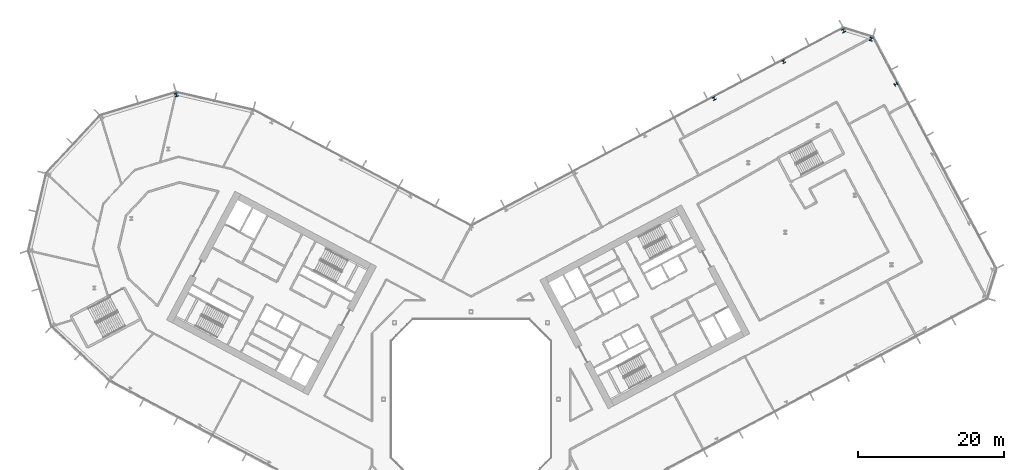
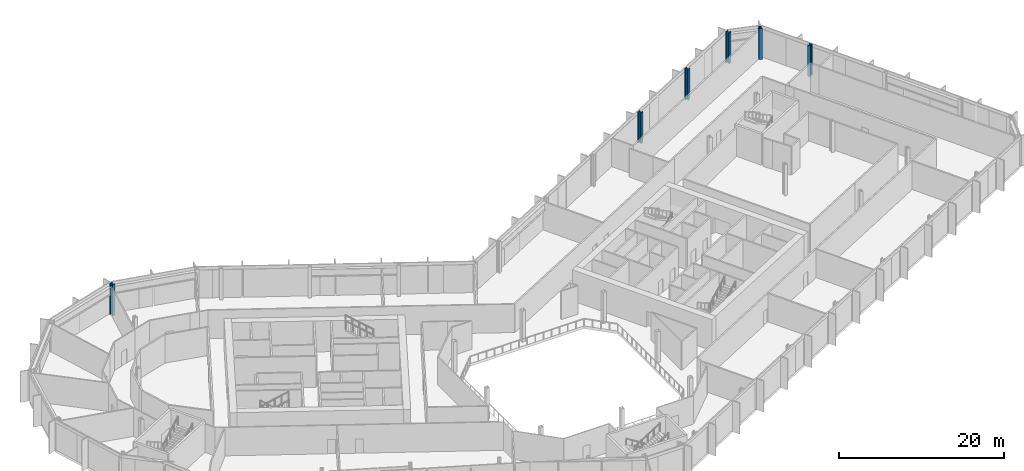
# One storey, part 5 of 30: 6 columns.
"""IFC4 building model written with IfcOpenShell, lengths in metres."""

from ifc_helpers import new_model, si_unit, direction, frame, origin, origin_2d, place, context, subcontext, project, spatial, i_section, extrude, material, material_profile, profile_set, type_object, element, save


model = new_model("IFC4")

# Units and contexts
model_context = context("Model", 3, precision=1e-05, world=origin(), true_north=direction((0.0, 1.0)))
body_context = subcontext(model_context, "Body", "Model", "MODEL_VIEW")
ifc_project = project(units=[si_unit("LENGTHUNIT", "METRE"), si_unit("AREAUNIT", "SQUARE_METRE"), si_unit("VOLUMEUNIT", "CUBIC_METRE"), si_unit("PLANEANGLEUNIT", "RADIAN"), si_unit("MASSUNIT", "GRAM", prefix="KILO")], contexts=[model_context])

# Site, building, storey
site_placement = place(None, origin())
site = spatial("IfcSite", under=ifc_project, at=site_placement, CompositionType="ELEMENT")
building_placement = place(site_placement, origin())
building = spatial("IfcBuilding", under=site, at=building_placement, Name="Cormorant Relay Tower", CompositionType="ELEMENT")
storey_placement = place(building_placement, frame((0.0, 0.0, 89.199951171875)))
storey = spatial("IfcBuildingStorey", under=building, at=storey_placement, Name="L17", CompositionType="ELEMENT", Elevation=89.199951171875)

# Columns
ifc_material_1 = material(Name="Steel ASTM A992 (Fy 345 MPa)", Category="steel")
ifc_material_profile_1 = material_profile(ifc_material_1, i_section(OverallWidth=0.42431640625, OverallDepth=0.47509765625, WebThickness=0.0478515625, FlangeThickness=0.0771484375, FilletRadius=0.014892578125, at=origin_2d()), Name="W360x634")
ifc_profile_set_1 = profile_set([ifc_material_profile_1], Name="Steel ASTM A992 (Fy 345 MPa)")
column_type_1 = type_object("IfcColumnType", Name="Column W360x634", PredefinedType="COLUMN", material=ifc_profile_set_1)
for number, where, z_axis, x_axis, name in (
    (1, (33.342041015625, 41.239990234375, 0.0), (0.0, 0.0, 1.0), (-0.882947592859, -0.469471562786, 0.0), "Column L17-049"),
    (2, (58.2900390625, 43.22509765625, 0.0), (0.0, 0.0, 1.0), (-0.469471562786, 0.882947592859, 0.0), "Column L17-051"),
    (3, (42.876953125, 46.31005859375, 0.0), (0.0, 0.0, 1.0), (-0.882947592859, -0.469471562786, 0.0), "Column L17-052"),
):
    element("IfcColumn", number, at=place(storey_placement, frame(where, z_axis=z_axis, x_axis=x_axis)), inside=storey, type_object=column_type_1, Name=name, PredefinedType="COLUMN", context=body_context, shape_type="SweptSolid", body=[
        extrude(i_section(OverallWidth=0.42431640625, OverallDepth=0.47509765625, WebThickness=0.0478515625, FlangeThickness=0.0771484375, FilletRadius=0.014892578125, at=origin_2d()), origin(), (0.0, 0.0, 1.0), 4.60009765625),
    ])
ifc_material_2 = material(Name="Steel ASTM A992 (Fy 345 MPa)", Category="steel")
ifc_material_profile_2 = material_profile(ifc_material_2, i_section(OverallWidth=0.43701171875, OverallDepth=0.51318359375, WebThickness=0.060546875, FlangeThickness=0.096923828125, FilletRadius=0.015380859375, at=origin_2d()), Name="W360x818")
ifc_profile_set_2 = profile_set([ifc_material_profile_2], Name="Steel ASTM A992 (Fy 345 MPa)")
column_type_2 = type_object("IfcColumnType", Name="Column W360x818", PredefinedType="COLUMN", material=ifc_profile_set_2)
for number, where, z_axis, x_axis, name in (
    (4, (-40.452880859375, 41.763916015625, 0.0), (0.0, 0.0, 1.0), (-0.956304755963, -0.292371704723, 0.0), "Column L17-050"),
    (5, (54.885986328125, 49.409912109375, 0.0), (0.0, 0.0, 1.0), (-0.956304755963, 0.292371704723, 0.0), "Column L17-053"),
    (6, (51.10009765625, 50.56689453125, 0.0), (0.0, 0.0, 1.0), (-0.882947592859, -0.469471562786, 0.0), "Column L17-054"),
):
    element("IfcColumn", number, at=place(storey_placement, frame(where, z_axis=z_axis, x_axis=x_axis)), inside=storey, type_object=column_type_2, Name=name, PredefinedType="COLUMN", context=body_context, shape_type="SweptSolid", body=[
        extrude(i_section(OverallWidth=0.43701171875, OverallDepth=0.51318359375, WebThickness=0.060546875, FlangeThickness=0.096923828125, FilletRadius=0.015380859375, at=origin_2d()), origin(), (0.0, 0.0, 1.0), 4.60009765625),
    ])

save(model, "model.ifc")
